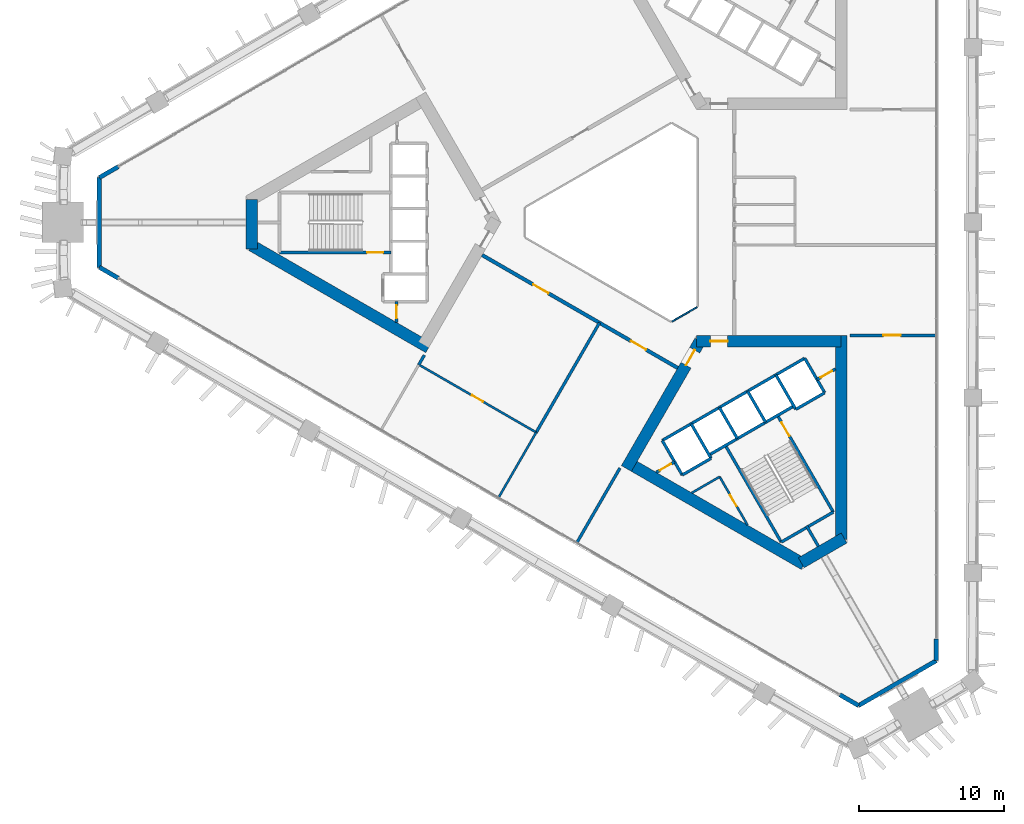
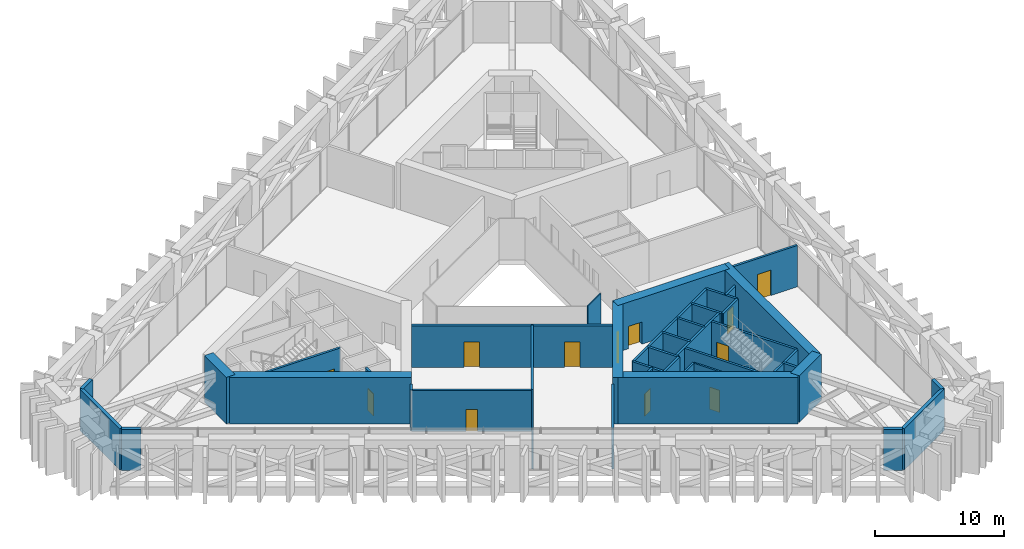
# One storey, part 14 of 18: 41 walls, 12 doors, 12 openings.
"""IFC4 building model written with IfcOpenShell, lengths in metres."""

from ifc_helpers import new_model, si_unit, direction, frame, frame_2d, origin, place, context, subcontext, project, spatial, rectangle, extrude, material, layer, layer_set, type_object, element, fill, save


model = new_model("IFC4")

# Units and contexts
model_context = context("Model", 3, precision=1e-05, world=origin(), true_north=direction((0.0, 1.0)))
body_context = subcontext(model_context, "Body", "Model", "MODEL_VIEW")
ifc_project = project(units=[si_unit("LENGTHUNIT", "METRE"), si_unit("AREAUNIT", "SQUARE_METRE"), si_unit("VOLUMEUNIT", "CUBIC_METRE"), si_unit("PLANEANGLEUNIT", "RADIAN"), si_unit("MASSUNIT", "GRAM", prefix="KILO")], contexts=[model_context])

# Site, building, storey
site_placement = place(None, origin())
site = spatial("IfcSite", under=ifc_project, at=site_placement, CompositionType="ELEMENT")
building_placement = place(site_placement, origin())
building = spatial("IfcBuilding", under=site, at=building_placement, Name="Jabali Bay Hotel Tower and Convention Centre", CompositionType="ELEMENT")
storey_placement = place(building_placement, frame((0.0, 0.0, 52.89990234375)))
storey = spatial("IfcBuildingStorey", under=building, at=storey_placement, Name="L11", CompositionType="ELEMENT", Elevation=52.89990234375)

# Wall
ifc_material_1 = material(Name="Fire-resistant glazing", Category="glass")
ifc_layer_1 = layer(ifc_material_1, 0.10009765625)
ifc_layer_set_1 = layer_set([ifc_layer_1], Name="Fire-resistant glazing")
wall_type_1 = type_object("IfcWallType", Name="Atrium glazed screen 100", PredefinedType="PARTITIONING", material=ifc_layer_set_1)
wall_1_placement = place(storey_placement, frame((77.7978515625, 73.15380859375, 0.0), z_axis=(0.0, 0.0, 1.0), x_axis=(0.866041268327, 0.499972520799, 0.0)))
element("IfcWall", 1, at=wall_1_placement, inside=storey, type_object=wall_type_1, Name="Atrium screen 6 L11", PredefinedType="PARTITIONING", context=body_context, shape_type="SweptSolid", body=[
    extrude(rectangle(XDim=2.0, YDim=0.10009765625, at=frame_2d((1.0, 0.0))), origin(), (0.0, 0.0, 1.0), 3.900146484375),
])

# Wall, opening, door
ifc_material_2 = material(Name="Concrete C40", Category="concrete")
ifc_layer_2 = layer(ifc_material_2, 0.199951171875)
ifc_layer_set_2 = layer_set([ifc_layer_2], Name="Concrete C40")
wall_type_2 = type_object("IfcWallType", Name="Core partition wall 200", PredefinedType="PARTITIONING", material=ifc_layer_set_2)
wall_2_placement = place(storey_placement, frame((58.800048828125, 74.550048828125, 0.0), z_axis=(0.0, 0.0, 1.0), x_axis=(0.0, -1.0, 0.0)))
wall_2 = element("IfcWall", 2, at=wall_2_placement, inside=storey, type_object=wall_type_2, Name="Core wall 0.12 L11", PredefinedType="PARTITIONING", context=body_context, shape_type="SweptSolid", body=[
    extrude(rectangle(XDim=1.455078125, YDim=0.199951171875, at=frame_2d((0.7275390625, 0.0))), origin(), (0.0, 0.0, 1.0), 3.900146484375),
])
opening_1_placement = place(wall_2_placement, frame((0.277587890625, 0.0, 0.0)))
opening_1 = element("IfcOpeningElement", 3, at=opening_1_placement, cuts=wall_2, Name="Opening D308", PredefinedType="OPENING", context=body_context, shape_type="SweptSolid", body=[
    extrude(rectangle(XDim=0.89990234375, YDim=2.10009765625, at=frame_2d((0.449951171875, 1.050048828125))), frame((0.0, 0.1103515625, 0.0), z_axis=(0.0, -1.0, 0.0), x_axis=(1.0, 0.0, 0.0)), (0.0, 0.0, 1.0), 0.220947265625),
])
ifc_material_3 = material(Name="Fire-rated steel door", Category="steel")
door_type_1 = type_object("IfcDoorType", Name="Vestibule fire door 900 x 2100", OperationType="NOTDEFINED", PredefinedType="NOTDEFINED", material=ifc_material_3)
door_1_placement = place(opening_1_placement, origin())
door_1 = element("IfcDoor", 4, at=door_1_placement, inside=storey, type_object=door_type_1, Name="Vestibule fire door D308", OperationType="SINGLE_SWING_LEFT", OverallHeight=2.10009765625, OverallWidth=0.89990234375, PredefinedType="NOTDEFINED", context=body_context, shape_type="SweptSolid", body=[
    extrude(rectangle(XDim=0.89990234375, YDim=2.10009765625, at=frame_2d((0.449951171875, 1.050048828125))), frame((0.0, 0.02490234375, 0.0), z_axis=(0.0, -1.0, 0.0), x_axis=(1.0, 0.0, 0.0)), (0.0, 0.0, 1.0), 0.050048828125),
])
fill(opening_1, door_1)

# Wall
wall_3_placement = place(storey_placement, frame((87.090087890625, 59.0595703125, 0.0), z_axis=(0.0, 0.0, 1.0), x_axis=(0.499956811548, -0.866050337213, 0.0)))
element("IfcWall", 5, at=wall_3_placement, inside=storey, type_object=wall_type_2, Name="Core wall 2.5 L11", PredefinedType="PARTITIONING", context=body_context, shape_type="SweptSolid", body=[
    extrude(rectangle(XDim=1.623291015625, YDim=0.199951171875, at=frame_2d((0.8115234375, 0.0))), origin(), (0.0, 0.0, 1.0), 3.900146484375),
])

# Wall, opening, door
wall_4_placement = place(storey_placement, frame((76.719970703125, 62.748779296875, 0.0), z_axis=(0.0, 0.0, 1.0), x_axis=(0.866054810376, 0.49994906283, 0.0)))
wall_4 = element("IfcWall", 6, at=wall_4_placement, inside=storey, type_object=wall_type_2, Name="Core wall 2.11 L11", PredefinedType="PARTITIONING", context=body_context, shape_type="SweptSolid", body=[
    extrude(rectangle(XDim=1.461181640625, YDim=0.199951171875, at=frame_2d((0.73046875, 0.0))), origin(), (0.0, 0.0, 1.0), 3.900146484375),
])
opening_2_placement = place(wall_4_placement, frame((0.280517578125, 0.0, 0.0)))
opening_2 = element("IfcOpeningElement", 7, at=opening_2_placement, cuts=wall_4, Name="Opening D321", PredefinedType="OPENING", context=body_context, shape_type="SweptSolid", body=[
    extrude(rectangle(XDim=0.89990234375, YDim=2.10009765625, at=frame_2d((0.449951171875, 1.050048828125))), frame((0.0, 0.1103515625, 0.0), z_axis=(0.0, -1.0, 0.0), x_axis=(1.0, 0.0, 0.0)), (0.0, 0.0, 1.0), 0.220947265625),
])
door_2_placement = place(opening_2_placement, origin())
door_2 = element("IfcDoor", 8, at=door_2_placement, inside=storey, type_object=door_type_1, Name="Vestibule fire door D321", OperationType="SINGLE_SWING_LEFT", OverallHeight=2.10009765625, OverallWidth=0.89990234375, PredefinedType="NOTDEFINED", context=body_context, shape_type="SweptSolid", body=[
    extrude(rectangle(XDim=0.89990234375, YDim=2.10009765625, at=frame_2d((0.449951171875, 1.050048828125))), frame((0.0, 0.02490234375, 0.0), z_axis=(0.0, -1.0, 0.0), x_axis=(1.0, 0.0, 0.0)), (0.0, 0.0, 1.0), 0.050048828125),
])
fill(opening_2, door_2)

wall_5_placement = place(storey_placement, frame((87.814697265625, 69.154296875, 0.0), z_axis=(0.0, 0.0, 1.0), x_axis=(0.866054810376, 0.49994906283, 0.0)))
wall_5 = element("IfcWall", 9, at=wall_5_placement, inside=storey, type_object=wall_type_2, Name="Core wall 2.12 L11", PredefinedType="PARTITIONING", context=body_context, shape_type="SweptSolid", body=[
    extrude(rectangle(XDim=1.461181640625, YDim=0.199951171875, at=frame_2d((0.73046875, 0.0))), origin(), (0.0, 0.0, 1.0), 3.900146484375),
])
opening_3_placement = place(wall_5_placement, frame((0.280517578125, 0.0, 0.0)))
opening_3 = element("IfcOpeningElement", 10, at=opening_3_placement, cuts=wall_5, Name="Opening D320", PredefinedType="OPENING", context=body_context, shape_type="SweptSolid", body=[
    extrude(rectangle(XDim=0.89990234375, YDim=2.10009765625, at=frame_2d((0.449951171875, 1.050048828125))), frame((0.0, 0.1103515625, 0.0), z_axis=(0.0, -1.0, 0.0), x_axis=(1.0, 0.0, 0.0)), (0.0, 0.0, 1.0), 0.220947265625),
])
door_3_placement = place(opening_3_placement, origin())
door_3 = element("IfcDoor", 11, at=door_3_placement, inside=storey, type_object=door_type_1, Name="Vestibule fire door D320", OperationType="SINGLE_SWING_LEFT", OverallHeight=2.10009765625, OverallWidth=0.89990234375, PredefinedType="NOTDEFINED", context=body_context, shape_type="SweptSolid", body=[
    extrude(rectangle(XDim=0.89990234375, YDim=2.10009765625, at=frame_2d((0.449951171875, 1.050048828125))), frame((0.0, 0.02490234375, 0.0), z_axis=(0.0, -1.0, 0.0), x_axis=(1.0, 0.0, 0.0)), (0.0, 0.0, 1.0), 0.050048828125),
])
fill(opening_3, door_3)

ifc_material_4 = material(Name="Fire-rated board partition")
ifc_layer_3 = layer(ifc_material_4, 0.14990234375)
ifc_layer_set_3 = layer_set([ifc_layer_3], Name="Fire-rated board partition")
wall_type_3 = type_object("IfcWallType", Name="Core room partition 150", PredefinedType="PARTITIONING", material=ifc_layer_set_3)
wall_6_placement = place(storey_placement, frame((81.093994140625, 62.445068359375, 0.0), z_axis=(0.0, 0.0, 1.0), x_axis=(0.499987921047, -0.866032377459, 0.0)))
wall_6 = element("IfcWall", 12, at=wall_6_placement, inside=storey, type_object=wall_type_3, Name="Core wall 2.1 L11", PredefinedType="PARTITIONING", context=body_context, shape_type="SweptSolid", body=[
    extrude(rectangle(XDim=3.84765625, YDim=0.14990234375, at=frame_2d((1.923828125, 0.0))), origin(), (0.0, 0.0, 1.0), 3.900146484375),
])
opening_4_placement = place(wall_6_placement, frame((1.446533203125, 0.0, 0.0)))
opening_4 = element("IfcOpeningElement", 13, at=opening_4_placement, cuts=wall_6, Name="Opening D323", PredefinedType="OPENING", context=body_context, shape_type="SweptSolid", body=[
    extrude(rectangle(XDim=0.89990234375, YDim=2.10009765625, at=frame_2d((0.449951171875, 1.050048828125))), frame((0.0, 0.08544921875, 0.0), z_axis=(0.0, -1.0, 0.0), x_axis=(1.0, 0.0, 0.0)), (0.0, 0.0, 1.0), 0.1708984375),
])
door_type_2 = type_object("IfcDoorType", Name="Core room door 900 x 2100", OperationType="NOTDEFINED", PredefinedType="NOTDEFINED", material=ifc_material_3)
door_4_placement = place(opening_4_placement, origin())
door_4 = element("IfcDoor", 14, at=door_4_placement, inside=storey, type_object=door_type_2, Name="Core room door D323", OperationType="SINGLE_SWING_LEFT", OverallHeight=2.10009765625, OverallWidth=0.89990234375, PredefinedType="NOTDEFINED", context=body_context, shape_type="SweptSolid", body=[
    extrude(rectangle(XDim=0.89990234375, YDim=2.10009765625, at=frame_2d((0.449951171875, 1.050048828125))), frame((0.0, 0.02490234375, 0.0), z_axis=(0.0, -1.0, 0.0), x_axis=(1.0, 0.0, 0.0)), (0.0, 0.0, 1.0), 0.050048828125),
])
fill(opening_4, door_4)

# Wall
wall_7_placement = place(storey_placement, frame((79.169921875, 61.334228515625, 0.0), z_axis=(0.0, 0.0, 1.0), x_axis=(0.866030041738, 0.499991966744, 0.0)))
element("IfcWall", 15, at=wall_7_placement, inside=storey, type_object=wall_type_3, Name="Core wall 2.16 L11", PredefinedType="PARTITIONING", context=body_context, shape_type="SweptSolid", body=[
    extrude(rectangle(XDim=2.2216796875, YDim=0.14990234375, at=frame_2d((1.11083984375, 0.0))), origin(), (0.0, 0.0, 1.0), 3.900146484375),
])

# Wall, opening, door
ifc_layer_4 = layer(ifc_material_2, 0.199951171875)
ifc_layer_set_4 = layer_set([ifc_layer_4], Name="Concrete C40")
wall_type_4 = type_object("IfcWallType", Name="Core stair wall 200", PredefinedType="SOLIDWALL", material=ifc_layer_set_4)
wall_8_placement = place(storey_placement, frame((58.419921875, 77.925048828125, 0.0), z_axis=(0.0, 0.0, 1.0), x_axis=(-1.0, 0.0, 0.0)))
wall_8 = element("IfcWall", 16, at=wall_8_placement, inside=storey, type_object=wall_type_4, Name="Core wall 0.7 L11", PredefinedType="SOLIDWALL", context=body_context, shape_type="SweptSolid", body=[
    extrude(rectangle(XDim=7.699951171875, YDim=0.199951171875, at=frame_2d((3.85009765625, 0.0))), origin(), (0.0, 0.0, 1.0), 3.900146484375),
])
opening_5_placement = place(wall_8_placement, frame((0.550048828125, 0.0, 0.0)))
opening_5 = element("IfcOpeningElement", 17, at=opening_5_placement, cuts=wall_8, Name="Opening D310", PredefinedType="OPENING", context=body_context, shape_type="SweptSolid", body=[
    extrude(rectangle(XDim=1.10009765625, YDim=2.10009765625, at=frame_2d((0.550048828125, 1.050048828125))), frame((0.0, 0.1103515625, 0.0), z_axis=(0.0, -1.0, 0.0), x_axis=(1.0, 0.0, 0.0)), (0.0, 0.0, 1.0), 0.220947265625),
])
door_type_3 = type_object("IfcDoorType", Name="Stair fire door 1100 x 2100", OperationType="NOTDEFINED", PredefinedType="NOTDEFINED", material=ifc_material_3)
door_5_placement = place(opening_5_placement, origin())
door_5 = element("IfcDoor", 18, at=door_5_placement, inside=storey, type_object=door_type_3, Name="Stair fire door D310", OperationType="SINGLE_SWING_RIGHT", OverallHeight=2.10009765625, OverallWidth=1.10009765625, PredefinedType="NOTDEFINED", context=body_context, shape_type="SweptSolid", body=[
    extrude(rectangle(XDim=1.10009765625, YDim=2.10009765625, at=frame_2d((0.550048828125, 1.050048828125))), frame((0.0, 0.02490234375, 0.0), z_axis=(0.0, -1.0, 0.0), x_axis=(1.0, 0.0, 0.0)), (0.0, 0.0, 1.0), 0.050048828125),
])
fill(opening_5, door_5)

# Walls
for number, where, z_axis, x_axis, name in (
    (19, (77.13525390625, 64.95166015625, 0.0), (0.0, 0.0, 1.0), (0.499996545922, -0.866027397988, 0.0), "Core wall 2.0 L11"),
    (20, (79.127197265625, 66.1015625, 0.0), (0.0, 0.0, 1.0), (0.499996545922, -0.866027397988, 0.0), "Core wall 2.2 L11"),
):
    element("IfcWall", number, at=place(storey_placement, frame(where, z_axis=z_axis, x_axis=x_axis)), inside=storey, type_object=wall_type_4, Name=name, PredefinedType="SOLIDWALL", context=body_context, shape_type="SweptSolid", body=[
        extrude(rectangle(XDim=2.75, YDim=0.199951171875, at=frame_2d((1.375, 0.0))), origin(), (0.0, 0.0, 1.0), 3.900146484375),
    ])
wall_9_placement = place(storey_placement, frame((81.492919921875, 64.603759765625, 0.0), z_axis=(0.0, 0.0, 1.0), x_axis=(0.500006057782, -0.866021906294, 0.0)))
element("IfcWall", 21, at=wall_9_placement, inside=storey, type_object=wall_type_4, Name="Core wall 2.3 L11", PredefinedType="SOLIDWALL", context=body_context, shape_type="SweptSolid", body=[
    extrude(rectangle(XDim=7.7001953125, YDim=0.199951171875, at=frame_2d((3.85009765625, 0.0))), origin(), (0.0, 0.0, 1.0), 3.900146484375),
])
for number, where, z_axis, x_axis, name in (
    (22, (81.07568359375, 67.2265625, 0.0), (0.0, 0.0, 1.0), (0.50000366821, -0.866023285932, 0.0), "Core wall 2.4 L11"),
    (23, (83.024169921875, 68.3515625, 0.0), (0.0, 0.0, 1.0), (0.50000366821, -0.866023285932, 0.0), "Core wall 2.6 L11"),
):
    element("IfcWall", number, at=place(storey_placement, frame(where, z_axis=z_axis, x_axis=x_axis)), inside=storey, type_object=wall_type_4, Name=name, PredefinedType="SOLIDWALL", context=body_context, shape_type="SweptSolid", body=[
        extrude(rectangle(XDim=2.47998046875, YDim=0.199951171875, at=frame_2d((1.239990234375, 0.0))), origin(), (0.0, 0.0, 1.0), 3.900146484375),
    ])

# Wall, opening, door
wall_10_placement = place(storey_placement, frame((85.0869140625, 66.6787109375, 0.0), z_axis=(0.0, 0.0, 1.0), x_axis=(0.500019787375, -0.866013979237, 0.0)))
wall_10 = element("IfcWall", 24, at=wall_10_placement, inside=storey, type_object=wall_type_4, Name="Core wall 2.7 L11", PredefinedType="SOLIDWALL", context=body_context, shape_type="SweptSolid", body=[
    extrude(rectangle(XDim=7.699951171875, YDim=0.199951171875, at=frame_2d((3.85009765625, 0.0))), origin(), (0.0, 0.0, 1.0), 3.900146484375),
])
opening_6_placement = place(wall_10_placement, frame((0.550048828125, 0.0, 0.0)))
opening_6 = element("IfcOpeningElement", 25, at=opening_6_placement, cuts=wall_10, Name="Opening D322", PredefinedType="OPENING", context=body_context, shape_type="SweptSolid", body=[
    extrude(rectangle(XDim=1.10009765625, YDim=2.10009765625, at=frame_2d((0.550048828125, 1.050048828125))), frame((0.0, 0.1103515625, 0.0), z_axis=(0.0, -1.0, 0.0), x_axis=(1.0, 0.0, 0.0)), (0.0, 0.0, 1.0), 0.220947265625),
])
door_6_placement = place(opening_6_placement, origin())
door_6 = element("IfcDoor", 26, at=door_6_placement, inside=storey, type_object=door_type_3, Name="Stair fire door D322", OperationType="SINGLE_SWING_RIGHT", OverallHeight=2.10009765625, OverallWidth=1.10009765625, PredefinedType="NOTDEFINED", context=body_context, shape_type="SweptSolid", body=[
    extrude(rectangle(XDim=1.10009765625, YDim=2.10009765625, at=frame_2d((0.550048828125, 1.050048828125))), frame((0.0, 0.02490234375, 0.0), z_axis=(0.0, -1.0, 0.0), x_axis=(1.0, 0.0, 0.0)), (0.0, 0.0, 1.0), 0.050048828125),
])
fill(opening_6, door_6)

# Walls
for number, where, z_axis, x_axis, name in (
    (27, (84.972900390625, 69.4765625, 0.0), (0.0, 0.0, 1.0), (0.499996545922, -0.866027397988, 0.0), "Core wall 2.8 L11"),
    (28, (86.964599609375, 70.62646484375, 0.0), (0.0, 0.0, 1.0), (0.499996545922, -0.866027397988, 0.0), "Core wall 2.9 L11"),
):
    element("IfcWall", number, at=place(storey_placement, frame(where, z_axis=z_axis, x_axis=x_axis)), inside=storey, type_object=wall_type_4, Name=name, PredefinedType="SOLIDWALL", context=body_context, shape_type="SweptSolid", body=[
        extrude(rectangle(XDim=2.75, YDim=0.199951171875, at=frame_2d((1.375, 0.0))), origin(), (0.0, 0.0, 1.0), 3.900146484375),
    ])
wall_11_placement = place(storey_placement, frame((77.13525390625, 64.95166015625, 0.0), z_axis=(0.0, 0.0, 1.0), x_axis=(0.866031916153, 0.499988720078, 0.0)))
element("IfcWall", 29, at=wall_11_placement, inside=storey, type_object=wall_type_4, Name="Core wall 2.10 L11", PredefinedType="SOLIDWALL", context=body_context, shape_type="SweptSolid", body=[
    extrude(rectangle(XDim=11.349853515625, YDim=0.199951171875, at=frame_2d((5.6748046875, 0.0))), origin(), (0.0, 0.0, 1.0), 3.900146484375),
])
wall_12_placement = place(storey_placement, frame((80.3671875, 63.953857421875, 0.0), z_axis=(0.0, 0.0, 1.0), x_axis=(0.866026575979, 0.499997969693, 0.0)))
element("IfcWall", 30, at=wall_12_placement, inside=storey, type_object=wall_type_4, Name="Core wall 2.13 L11", PredefinedType="SOLIDWALL", context=body_context, shape_type="SweptSolid", body=[
    extrude(rectangle(XDim=6.75, YDim=0.199951171875, at=frame_2d((3.375, 0.0))), origin(), (0.0, 0.0, 1.0), 3.900146484375),
])
wall_13_placement = place(storey_placement, frame((78.51025390625, 62.570068359375, 0.0), z_axis=(0.0, 0.0, 1.0), x_axis=(0.866053019151, 0.499952165731, 0.0)))
element("IfcWall", 31, at=wall_13_placement, inside=storey, type_object=wall_type_4, Name="Core wall 2.14 L11", PredefinedType="SOLIDWALL", context=body_context, shape_type="SweptSolid", body=[
    extrude(rectangle(XDim=2.300048828125, YDim=0.199951171875, at=frame_2d((1.14990234375, 0.0))), origin(), (0.0, 0.0, 1.0), 3.900146484375),
])
wall_14_placement = place(storey_placement, frame((86.347900390625, 67.094970703125, 0.0), z_axis=(0.0, 0.0, 1.0), x_axis=(0.86602648383, 0.499998129301, 0.0)))
element("IfcWall", 32, at=wall_14_placement, inside=storey, type_object=wall_type_4, Name="Core wall 2.15 L11", PredefinedType="SOLIDWALL", context=body_context, shape_type="SweptSolid", body=[
    extrude(rectangle(XDim=2.2998046875, YDim=0.199951171875, at=frame_2d((1.14990234375, 0.0))), origin(), (0.0, 0.0, 1.0), 3.900146484375),
])
wall_15_placement = place(storey_placement, frame((85.343017578125, 57.935302734375, 0.0), z_axis=(0.0, 0.0, 1.0), x_axis=(0.866004344652, 0.500036473714, 0.0)))
element("IfcWall", 33, at=wall_15_placement, inside=storey, type_object=wall_type_4, Name="Core wall 2.17 L11", PredefinedType="SOLIDWALL", context=body_context, shape_type="SweptSolid", body=[
    extrude(rectangle(XDim=4.150146484375, YDim=0.199951171875, at=frame_2d((2.0751953125, 0.0))), origin(), (0.0, 0.0, 1.0), 3.900146484375),
])
ifc_material_5 = material(Name="Concrete C60", Category="concrete")
ifc_layer_5 = layer(ifc_material_5, 0.800048828125)
ifc_layer_set_5 = layer_set([ifc_layer_5], Name="Concrete C60")
wall_type_5 = type_object("IfcWallType", Name="Core wall 800", PredefinedType="SHEAR", material=ifc_layer_set_5)
wall_16_placement = place(storey_placement, frame((48.796875, 81.591796875, 0.0), z_axis=(0.0, 0.0, 1.0), x_axis=(0.0, -1.0, 0.0)))
element("IfcWall", 34, at=wall_16_placement, inside=storey, type_object=wall_type_5, Name="Core wall 1.3 L11", PredefinedType="SHEAR", context=body_context, shape_type="SweptSolid", body=[
    extrude(rectangle(XDim=3.41455078125, YDim=0.800048828125, at=frame_2d((1.707275390625, 0.0))), origin(), (0.0, 0.0, 1.0), 4.400146484375),
])
wall_17_placement = place(storey_placement, frame((48.796875, 78.408203125, 0.0), z_axis=(0.0, 0.0, 1.0), x_axis=(0.866032504327, -0.499987701298, 0.0)))
element("IfcWall", 35, at=wall_17_placement, inside=storey, type_object=wall_type_5, Name="Core wall 1.4 L11", PredefinedType="SHEAR", context=body_context, shape_type="SweptSolid", body=[
    extrude(rectangle(XDim=14.102294921875, YDim=0.800048828125, at=frame_2d((7.05126953125, 0.0))), origin(), (0.0, 0.0, 1.0), 4.400146484375),
])

# Wall, opening, door
wall_18_placement = place(storey_placement, frame((79.73095703125, 71.8056640625, 0.0), z_axis=(0.0, 0.0, 1.0), x_axis=(-0.49999662545, -0.866027352073, 0.0)))
wall_18 = element("IfcWall", 36, at=wall_18_placement, inside=storey, type_object=wall_type_5, Name="Core wall 3.1 L11", PredefinedType="SHEAR", context=body_context, shape_type="SweptSolid", body=[
    extrude(rectangle(XDim=10.14892578125, YDim=0.800048828125, at=frame_2d((5.074462890625, 0.0))), origin(), (0.0, 0.0, 1.0), 4.400146484375),
])
opening_7_placement = place(wall_18_placement, frame((0.718994140625, 0.0, 0.0)))
opening_7 = element("IfcOpeningElement", 37, at=opening_7_placement, cuts=wall_18, Name="Opening D318", PredefinedType="OPENING", context=body_context, shape_type="SweptSolid", body=[
    extrude(rectangle(XDim=1.199951171875, YDim=2.10009765625, at=frame_2d((0.60009765625, 1.050048828125))), frame((0.0, 0.41064453125, 0.0), z_axis=(0.0, -1.0, 0.0), x_axis=(1.0, 0.0, 0.0)), (0.0, 0.0, 1.0), 0.821044921875),
])
door_type_4 = type_object("IfcDoorType", Name="Corridor end fire door 1200 x 2100", OperationType="NOTDEFINED", PredefinedType="NOTDEFINED", material=ifc_material_3)
door_7_placement = place(opening_7_placement, origin())
door_7 = element("IfcDoor", 38, at=door_7_placement, inside=storey, type_object=door_type_4, Name="Corridor end fire door D318", OperationType="SINGLE_SWING_RIGHT", OverallHeight=2.10009765625, OverallWidth=1.199951171875, PredefinedType="NOTDEFINED", context=body_context, shape_type="SweptSolid", body=[
    extrude(rectangle(XDim=1.199951171875, YDim=2.10009765625, at=frame_2d((0.60009765625, 1.050048828125))), frame((0.0, 0.02490234375, 0.0), z_axis=(0.0, -1.0, 0.0), x_axis=(1.0, 0.0, 0.0)), (0.0, 0.0, 1.0), 0.050048828125),
])
fill(opening_7, door_7)

# Walls
wall_19_placement = place(storey_placement, frame((74.8564453125, 63.36279296875, 0.0), z_axis=(0.0, 0.0, 1.0), x_axis=(0.866029478545, -0.499992942241, 0.0)))
element("IfcWall", 39, at=wall_19_placement, inside=storey, type_object=wall_type_5, Name="Core wall 3.2 L11", PredefinedType="SHEAR", context=body_context, shape_type="SweptSolid", body=[
    extrude(rectangle(XDim=13.933349609375, YDim=0.800048828125, at=frame_2d((6.966796875, 0.0))), origin(), (0.0, 0.0, 1.0), 4.400146484375),
])
wall_20_placement = place(storey_placement, frame((86.72314453125, 56.51171875, 0.0), z_axis=(0.0, 0.0, 1.0), x_axis=(0.866034355626, 0.499984494636, 0.0)))
element("IfcWall", 40, at=wall_20_placement, inside=storey, type_object=wall_type_5, Name="Core wall 3.3 L11", PredefinedType="SHEAR", context=body_context, shape_type="SweptSolid", body=[
    extrude(rectangle(XDim=3.4140625, YDim=0.800048828125, at=frame_2d((1.70703125, 0.0))), origin(), (0.0, 0.0, 1.0), 4.400146484375),
])
wall_21_placement = place(storey_placement, frame((89.47998046875, 58.103271484375, 0.0), z_axis=(0.0, 0.0, 1.0), x_axis=(0.0, 1.0, 0.0)))
element("IfcWall", 41, at=wall_21_placement, inside=storey, type_object=wall_type_5, Name="Core wall 3.4 L11", PredefinedType="SHEAR", context=body_context, shape_type="SweptSolid", body=[
    extrude(rectangle(XDim=14.1025390625, YDim=0.800048828125, at=frame_2d((7.05126953125, 0.0))), origin(), (0.0, 0.0, 1.0), 4.400146484375),
])

# Wall, opening, door
wall_22_placement = place(storey_placement, frame((89.47998046875, 71.8056640625, 0.0), z_axis=(0.0, 0.0, 1.0), x_axis=(-1.0, 0.0, 0.0)))
wall_22 = element("IfcWall", 42, at=wall_22_placement, inside=storey, type_object=wall_type_5, Name="Core wall 3.5 L11", PredefinedType="SHEAR", context=body_context, shape_type="SweptSolid", body=[
    extrude(rectangle(XDim=9.97998046875, YDim=0.800048828125, at=frame_2d((4.989990234375, 0.0))), origin(), (0.0, 0.0, 1.0), 4.400146484375),
])
opening_8_placement = place(wall_22_placement, frame((7.830078125, 0.0, 0.0)))
opening_8 = element("IfcOpeningElement", 43, at=opening_8_placement, cuts=wall_22, Name="Opening D319", PredefinedType="OPENING", context=body_context, shape_type="SweptSolid", body=[
    extrude(rectangle(XDim=1.199951171875, YDim=2.10009765625, at=frame_2d((0.60009765625, 1.050048828125))), frame((0.0, 0.41064453125, 0.0), z_axis=(0.0, -1.0, 0.0), x_axis=(1.0, 0.0, 0.0)), (0.0, 0.0, 1.0), 0.821044921875),
])
door_8_placement = place(opening_8_placement, origin())
door_8 = element("IfcDoor", 44, at=door_8_placement, inside=storey, type_object=door_type_4, Name="Corridor end fire door D319", OperationType="SINGLE_SWING_LEFT", OverallHeight=2.10009765625, OverallWidth=1.199951171875, PredefinedType="NOTDEFINED", context=body_context, shape_type="SweptSolid", body=[
    extrude(rectangle(XDim=1.199951171875, YDim=2.10009765625, at=frame_2d((0.60009765625, 1.050048828125))), frame((0.0, 0.02490234375, 0.0), z_axis=(0.0, -1.0, 0.0), x_axis=(1.0, 0.0, 0.0)), (0.0, 0.0, 1.0), 0.050048828125),
])
fill(opening_8, door_8)

# Wall, openings, doors
ifc_layer_6 = layer(ifc_material_5, 0.25)
ifc_layer_set_6 = layer_set([ifc_layer_6], Name="Concrete C60")
wall_type_6 = type_object("IfcWallType", Name="Corridor wall 250", PredefinedType="SHEAR", material=ifc_layer_set_6)
wall_23_placement = place(storey_placement, frame((64.699951171875, 77.748291015625, 0.0), z_axis=(0.0, 0.0, 1.0), x_axis=(0.866026492143, -0.499998114903, 0.0)))
wall_23 = element("IfcWall", 45, at=wall_23_placement, inside=storey, type_object=wall_type_6, Name="Corridor wall 3 L11", PredefinedType="SHEAR", context=body_context, shape_type="SweptSolid", body=[
    extrude(rectangle(XDim=15.58837890625, YDim=0.25, at=frame_2d((7.794189453125, 0.0))), origin(), (0.0, 0.0, 1.0), 3.900146484375),
])
opening_9_placement = place(wall_23_placement, frame((4.076416015625, 0.0, 0.0)))
opening_9 = element("IfcOpeningElement", 46, at=opening_9_placement, cuts=wall_23, Name="Opening 1107", PredefinedType="OPENING", context=body_context, shape_type="SweptSolid", body=[
    extrude(rectangle(XDim=1.199951171875, YDim=2.39990234375, at=frame_2d((0.60009765625, 1.199951171875))), frame((0.0, 0.135498046875, 0.0), z_axis=(0.0, -1.0, 0.0), x_axis=(1.0, 0.0, 0.0)), (0.0, 0.0, 1.0), 0.27099609375),
])
opening_10_placement = place(wall_23_placement, frame((11.870849609375, 0.0, 0.0)))
opening_10 = element("IfcOpeningElement", 47, at=opening_10_placement, cuts=wall_23, Name="Opening 1109", PredefinedType="OPENING", context=body_context, shape_type="SweptSolid", body=[
    extrude(rectangle(XDim=1.199951171875, YDim=2.39990234375, at=frame_2d((0.60009765625, 1.199951171875))), frame((0.0, 0.135498046875, 0.0), z_axis=(0.0, -1.0, 0.0), x_axis=(1.0, 0.0, 0.0)), (0.0, 0.0, 1.0), 0.27099609375),
])
ifc_material_6 = material(Name="Timber", Category="wood")
door_type_5 = type_object("IfcDoorType", Name="Public room door 1200 x 2400", OperationType="NOTDEFINED", PredefinedType="NOTDEFINED", material=ifc_material_6)
door_9_placement = place(opening_9_placement, origin())
door_9 = element("IfcDoor", 48, at=door_9_placement, inside=storey, type_object=door_type_5, Name="Door 1107", OperationType="SINGLE_SWING_LEFT", OverallHeight=2.39990234375, OverallWidth=1.199951171875, PredefinedType="NOTDEFINED", context=body_context, shape_type="SweptSolid", body=[
    extrude(rectangle(XDim=1.199951171875, YDim=2.39990234375, at=frame_2d((0.60009765625, 1.199951171875))), frame((0.0, 0.02490234375, 0.0), z_axis=(0.0, -1.0, 0.0), x_axis=(1.0, 0.0, 0.0)), (0.0, 0.0, 1.0), 0.050048828125),
])
fill(opening_9, door_9)
door_10_placement = place(opening_10_placement, origin())
door_10 = element("IfcDoor", 49, at=door_10_placement, inside=storey, type_object=door_type_5, Name="Door 1109", OperationType="SINGLE_SWING_RIGHT", OverallHeight=2.39990234375, OverallWidth=1.199951171875, PredefinedType="NOTDEFINED", context=body_context, shape_type="SweptSolid", body=[
    extrude(rectangle(XDim=1.199951171875, YDim=2.39990234375, at=frame_2d((0.60009765625, 1.199951171875))), frame((0.0, 0.02490234375, 0.0), z_axis=(0.0, -1.0, 0.0), x_axis=(1.0, 0.0, 0.0)), (0.0, 0.0, 1.0), 0.050048828125),
])
fill(opening_10, door_10)

# Walls
ifc_layer_7 = layer(ifc_material_2, 0.300048828125)
ifc_layer_set_7 = layer_set([ifc_layer_7], Name="Concrete C40")
wall_type_7 = type_object("IfcWallType", Name="External wall 300", PredefinedType="SOLIDWALL", material=ifc_layer_set_7)
for number, where, z_axis, x_axis, name in (
    (50, (38.285888671875, 76.90478515625, 0.0), (0.0, 0.0, 1.0), (0.0, 1.0, 0.0), "External wall west chamfer L11"),
    (51, (96.03759765625, 49.752197265625, 0.0), (0.0, 0.0, 1.0), (-0.866025993994, -0.499998977725, 0.0), "External wall south-east chamfer L11"),
):
    element("IfcWall", number, at=place(storey_placement, frame(where, z_axis=z_axis, x_axis=x_axis)), inside=storey, type_object=wall_type_7, Name=name, PredefinedType="SOLIDWALL", context=body_context, shape_type="SweptSolid", body=[
        extrude(rectangle(XDim=6.1904296875, YDim=0.300048828125, at=frame_2d((3.09521484375, 0.0))), origin(), (0.0, 0.0, 1.0), 3.900146484375),
    ])
for number, where, z_axis, x_axis, name in (
    (52, (96.03759765625, 51.252197265625, 0.0), (0.0, 0.0, 1.0), (0.0, -1.0, 0.0), "External wall east face L11"),
    (53, (38.285888671875, 83.09521484375, 0.0), (0.0, 0.0, 1.0), (0.866031096941, 0.499990139034, 0.0), "External wall north-west face L11"),
    (54, (39.5849609375, 76.15478515625, 0.0), (0.0, 0.0, 1.0), (-0.866031096941, 0.499990139034, 0.0), "External wall south-west face L11"),
    (55, (90.676513671875, 46.656982421875, 0.0), (0.0, 0.0, 1.0), (-0.866031096941, 0.499990139034, 0.0), "External wall south-west face L11"),
):
    element("IfcWall", number, at=place(storey_placement, frame(where, z_axis=z_axis, x_axis=x_axis)), inside=storey, type_object=wall_type_7, Name=name, PredefinedType="SOLIDWALL", context=body_context, shape_type="SweptSolid", body=[
        extrude(rectangle(XDim=1.5, YDim=0.300048828125, at=frame_2d((0.75, 0.0))), origin(), (0.0, 0.0, 1.0), 3.900146484375),
    ])

# Wall, opening, door
ifc_material_7 = material(Name="Plasterboard on steel stud", Category="steel")
ifc_layer_8 = layer(ifc_material_7, 0.14990234375)
ifc_layer_set_8 = layer_set([ifc_layer_8], Name="Plasterboard on steel stud")
wall_type_8 = type_object("IfcWallType", Name="Partition 150 wet", PredefinedType="PARTITIONING", material=ifc_layer_set_8)
wall_24_placement = place(storey_placement, frame((60.332763671875, 70.18408203125, 0.0), z_axis=(0.0, 0.0, 1.0), x_axis=(0.866029102363, -0.49999359382, 0.0)))
wall_24 = element("IfcWall", 56, at=wall_24_placement, inside=storey, type_object=wall_type_8, Name="Partition P03 L11 011", PredefinedType="PARTITIONING", context=body_context, shape_type="SweptSolid", body=[
    extrude(rectangle(XDim=9.35302734375, YDim=0.14990234375, at=frame_2d((4.676513671875, 0.0))), origin(), (0.0, 0.0, 1.0), 3.900146484375),
])
opening_11_placement = place(wall_24_placement, frame((4.22705078125, 0.0, 0.0)))
opening_11 = element("IfcOpeningElement", 57, at=opening_11_placement, cuts=wall_24, Name="Opening 1108", PredefinedType="OPENING", context=body_context, shape_type="SweptSolid", body=[
    extrude(rectangle(XDim=0.89990234375, YDim=2.10009765625, at=frame_2d((0.449951171875, 1.050048828125))), frame((0.0, 0.08544921875, 0.0), z_axis=(0.0, -1.0, 0.0), x_axis=(1.0, 0.0, 0.0)), (0.0, 0.0, 1.0), 0.1708984375),
])
door_type_6 = type_object("IfcDoorType", Name="Internal door 900 x 2100", OperationType="NOTDEFINED", PredefinedType="NOTDEFINED", material=ifc_material_6)
door_11_placement = place(opening_11_placement, origin())
door_11 = element("IfcDoor", 58, at=door_11_placement, inside=storey, type_object=door_type_6, Name="Door 1108", OperationType="SINGLE_SWING_RIGHT", OverallHeight=2.10009765625, OverallWidth=0.89990234375, PredefinedType="NOTDEFINED", context=body_context, shape_type="SweptSolid", body=[
    extrude(rectangle(XDim=0.89990234375, YDim=2.10009765625, at=frame_2d((0.449951171875, 1.050048828125))), frame((0.0, 0.02490234375, 0.0), z_axis=(0.0, -1.0, 0.0), x_axis=(1.0, 0.0, 0.0)), (0.0, 0.0, 1.0), 0.050048828125),
])
fill(opening_11, door_11)

# Wall
wall_25_placement = place(storey_placement, frame((65.858154296875, 61.048095703125, 0.0), z_axis=(0.0, 0.0, 1.0), x_axis=(0.50000453793, 0.866022783793, 0.0)))
element("IfcWall", 59, at=wall_25_placement, inside=storey, type_object=wall_type_8, Name="Partition P03 L11 014", PredefinedType="PARTITIONING", context=body_context, shape_type="SweptSolid", body=[
    extrude(rectangle(XDim=5.16943359375, YDim=0.14990234375, at=frame_2d((2.584716796875, 0.0))), origin(), (0.0, 0.0, 1.0), 3.900146484375),
])

# Wall, opening, door
ifc_layer_9 = layer(ifc_material_7, 0.199951171875)
ifc_layer_set_9 = layer_set([ifc_layer_9], Name="Plasterboard on steel stud")
wall_type_9 = type_object("IfcWallType", Name="Partition 200 party", PredefinedType="PARTITIONING", material=ifc_layer_set_9)
wall_26_placement = place(storey_placement, frame((95.983642578125, 72.205810546875, 0.0), z_axis=(0.0, 0.0, 1.0), x_axis=(-1.0, 0.0, 0.0)))
wall_26 = element("IfcWall", 60, at=wall_26_placement, inside=storey, type_object=wall_type_9, Name="Partition P01 L11 003", PredefinedType="PARTITIONING", context=body_context, shape_type="SweptSolid", body=[
    extrude(rectangle(XDim=5.904541015625, YDim=0.199951171875, at=frame_2d((2.9521484375, 0.0))), origin(), (0.0, 0.0, 1.0), 3.900146484375),
])
opening_12_placement = place(wall_26_placement, frame((2.39990234375, 0.0, 0.0)))
opening_12 = element("IfcOpeningElement", 61, at=opening_12_placement, cuts=wall_26, Name="Opening 1112", PredefinedType="OPENING", context=body_context, shape_type="SweptSolid", body=[
    extrude(rectangle(XDim=1.199951171875, YDim=2.39990234375, at=frame_2d((0.60009765625, 1.199951171875))), frame((0.0, 0.1103515625, 0.0), z_axis=(0.0, -1.0, 0.0), x_axis=(1.0, 0.0, 0.0)), (0.0, 0.0, 1.0), 0.220947265625),
])
door_12_placement = place(opening_12_placement, origin())
door_12 = element("IfcDoor", 62, at=door_12_placement, inside=storey, type_object=door_type_5, Name="Door 1112", OperationType="SINGLE_SWING_RIGHT", OverallHeight=2.39990234375, OverallWidth=1.199951171875, PredefinedType="NOTDEFINED", context=body_context, shape_type="SweptSolid", body=[
    extrude(rectangle(XDim=1.199951171875, YDim=2.39990234375, at=frame_2d((0.60009765625, 1.199951171875))), frame((0.0, 0.02490234375, 0.0), z_axis=(0.0, -1.0, 0.0), x_axis=(1.0, 0.0, 0.0)), (0.0, 0.0, 1.0), 0.050048828125),
])
fill(opening_12, door_12)

# Walls
wall_27_placement = place(storey_placement, frame((68.4228515625, 65.490234375, 0.0), z_axis=(0.0, 0.0, 1.0), x_axis=(0.499999262521, 0.866025829568, 0.0)))
element("IfcWall", 63, at=wall_27_placement, inside=storey, type_object=wall_type_9, Name="Partition P01 L11 012", PredefinedType="PARTITIONING", context=body_context, shape_type="SweptSolid", body=[
    extrude(rectangle(XDim=8.75439453125, YDim=0.199951171875, at=frame_2d((4.377197265625, 0.0))), origin(), (0.0, 0.0, 1.0), 3.900146484375),
])
wall_28_placement = place(storey_placement, frame((60.32275390625, 70.166748046875, 0.0), z_axis=(0.0, 0.0, 1.0), x_axis=(0.499931386026, 0.866065014457, 0.0)))
element("IfcWall", 64, at=wall_28_placement, inside=storey, type_object=wall_type_9, Name="Partition P01 L11 013", PredefinedType="PARTITIONING", context=body_context, shape_type="SweptSolid", body=[
    extrude(rectangle(XDim=0.775390625, YDim=0.199951171875, at=frame_2d((0.3876953125, 0.0))), origin(), (0.0, 0.0, 1.0), 3.900146484375),
])
wall_29_placement = place(storey_placement, frame((74.21044921875, 63.044189453125, 0.0), z_axis=(0.0, 0.0, 1.0), x_axis=(-0.49999445743, -0.866028603765, 0.0)))
element("IfcWall", 65, at=wall_29_placement, inside=storey, type_object=wall_type_9, Name="Partition P01 L11 016", PredefinedType="PARTITIONING", context=body_context, shape_type="SweptSolid", body=[
    extrude(rectangle(XDim=5.90478515625, YDim=0.199951171875, at=frame_2d((2.952392578125, 0.0))), origin(), (0.0, 0.0, 1.0), 3.900146484375),
])

save(model, "model.ifc")
